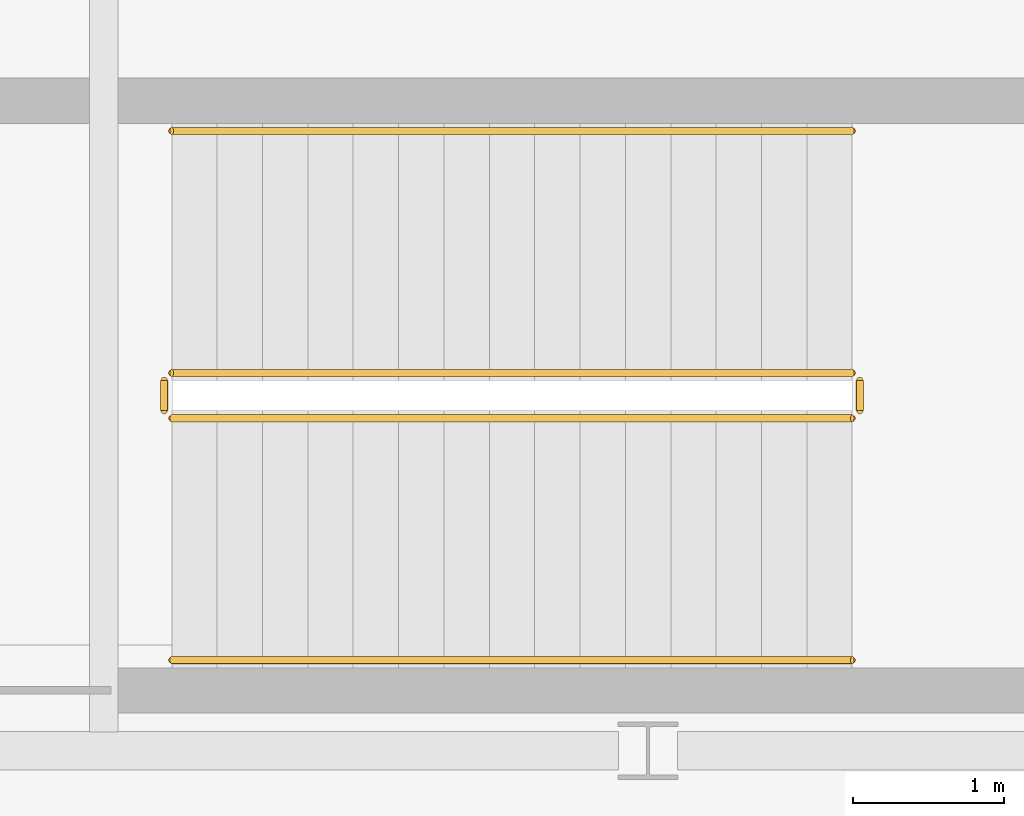
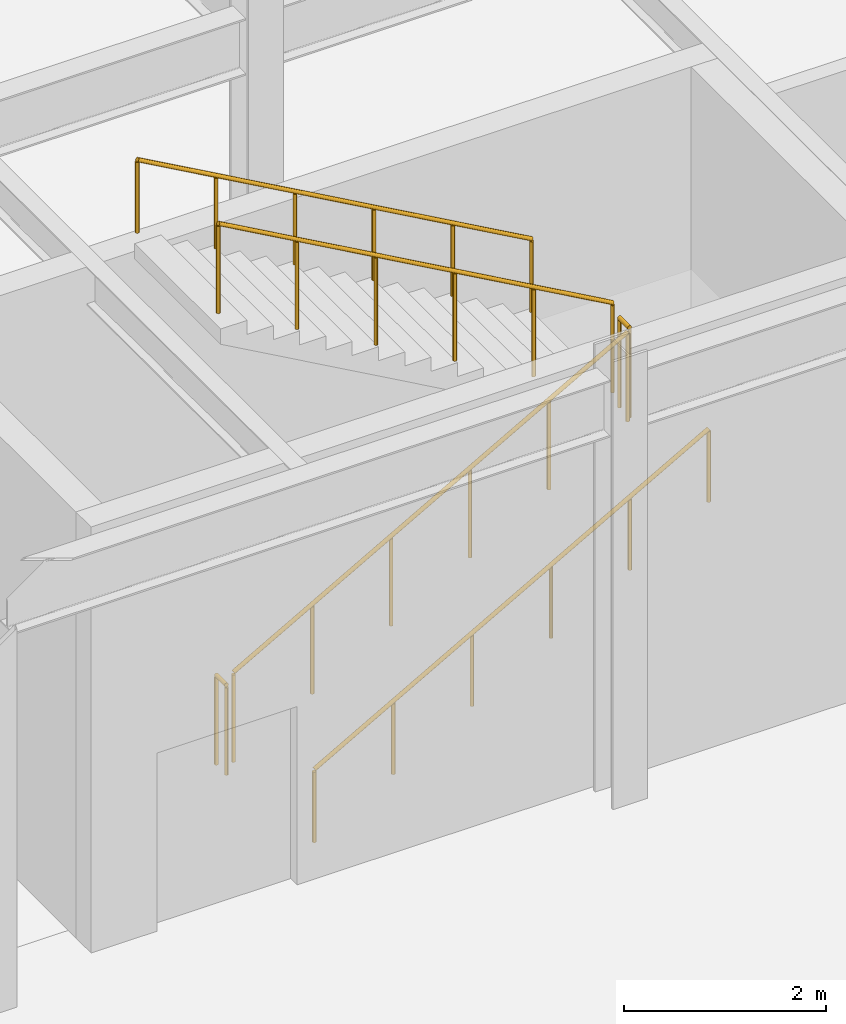
# One storey, part 98 of 104: 6 railings.
"""IFC4 building model written with IfcOpenShell, lengths in metres."""

from ifc_helpers import new_model, si_unit, direction, frame, origin, origin_2d, place, context, subcontext, project, spatial, circle, extrude, material, layer, layer_set, type_object, element, save


model = new_model("IFC4")

# Units and contexts
model_context = context("Model", 3, precision=1e-05, world=origin(), true_north=direction((0.0, 1.0)))
body_context = subcontext(model_context, "Body", "Model", "MODEL_VIEW")
ifc_project = project(units=[si_unit("LENGTHUNIT", "METRE"), si_unit("AREAUNIT", "SQUARE_METRE"), si_unit("VOLUMEUNIT", "CUBIC_METRE"), si_unit("PLANEANGLEUNIT", "RADIAN"), si_unit("MASSUNIT", "GRAM", prefix="KILO")], contexts=[model_context])

# Site, building, storey
site_placement = place(None, origin())
site = spatial("IfcSite", under=ifc_project, at=site_placement, CompositionType="ELEMENT")
building_placement = place(site_placement, origin())
building = spatial("IfcBuilding", under=site, at=building_placement, Name="Vaelcorin Mobility Hub", CompositionType="ELEMENT")
storey_placement = place(building_placement, origin())
storey = spatial("IfcBuildingStorey", under=building, at=storey_placement, Name="L00", CompositionType="ELEMENT", Elevation=0.0)

# Railings
ifc_material = material(Name="Brushed stainless steel 316L", Category="steel")
ifc_layer_1 = layer(ifc_material, 0.048095703125)
ifc_layer_set_1 = layer_set([ifc_layer_1], Name="Brushed stainless steel 316L")
railing_type_1 = type_object("IfcRailingType", Name="RL-STAIR-GRD", PredefinedType="GUARDRAIL", material=ifc_layer_set_1)
railing_1_placement = place(storey_placement, frame((179.25, 8.199951171875, 0.168701171875)))
element("IfcRailing", 1, at=railing_1_placement, inside=storey, type_object=railing_type_1, Name="L00 ST5 stair guard 1", PredefinedType="GUARDRAIL", context=body_context, shape_type="SweptSolid", body=[
    extrude(circle(Radius=0.02392578125, at=origin_2d()), frame((0.0, 0.0, 1.076171875), z_axis=(0.871575537125, 0.0, 0.490261239633), x_axis=(0.0, 1.0, 0.0)), (0.0, 0.0, 1.0), 5.1630859375),
    extrude(circle(Radius=0.02099609375, at=origin_2d()), origin(), (0.0, 0.0, 1.0), 1.052001953125),
    extrude(circle(Radius=0.02099609375, at=origin_2d()), frame((0.89990234375, 0.0, 0.50634765625)), (0.0, 0.0, 1.0), 1.052001953125),
    extrude(circle(Radius=0.02099609375, at=origin_2d()), frame((1.800048828125, 0.0, 1.012451171875)), (0.0, 0.0, 1.0), 1.052001953125),
    extrude(circle(Radius=0.02099609375, at=origin_2d()), frame((2.699951171875, 0.0, 1.518798828125)), (0.0, 0.0, 1.0), 1.052001953125),
    extrude(circle(Radius=0.02099609375, at=origin_2d()), frame((3.60009765625, 0.0, 2.02490234375)), (0.0, 0.0, 1.0), 1.052001953125),
    extrude(circle(Radius=0.02099609375, at=origin_2d()), frame((4.5, 0.0, 2.53125)), (0.0, 0.0, 1.0), 1.052001953125),
])
railing_2_placement = place(storey_placement, frame((183.800048828125, 8.25, 2.699951171875)))
element("IfcRailing", 2, at=railing_2_placement, inside=storey, type_object=railing_type_1, Name="L00 ST5 stair guard 2", PredefinedType="GUARDRAIL", context=body_context, shape_type="SweptSolid", body=[
    extrude(circle(Radius=0.02392578125, at=origin_2d()), frame((0.0, 0.0, 1.076171875), z_axis=(0.0, 1.0, 0.0), x_axis=(-1.0, 0.0, 0.0)), (0.0, 0.0, 1.0), 0.199951171875),
    extrude(circle(Radius=0.02099609375, at=origin_2d()), origin(), (0.0, 0.0, 1.0), 1.052001953125),
    extrude(circle(Radius=0.02099609375, at=origin_2d()), frame((0.0, 0.199951171875, 0.0)), (0.0, 0.0, 1.0), 1.052001953125),
])
railing_3_placement = place(storey_placement, frame((183.75, 8.5, 2.86865234375)))
element("IfcRailing", 3, at=railing_3_placement, inside=storey, type_object=railing_type_1, Name="L00 ST5 stair guard 3", PredefinedType="GUARDRAIL", context=body_context, shape_type="SweptSolid", body=[
    extrude(circle(Radius=0.02392578125, at=origin_2d()), frame((0.0, 0.0, 1.076171875), z_axis=(-0.871575537125, 0.0, 0.490261239633), x_axis=(0.0, -1.0, 0.0)), (0.0, 0.0, 1.0), 5.1630859375),
    extrude(circle(Radius=0.02099609375, at=origin_2d()), origin(), (0.0, 0.0, 1.0), 1.052001953125),
    extrude(circle(Radius=0.02099609375, at=origin_2d()), frame((-0.89990234375, 0.0, 0.50634765625)), (0.0, 0.0, 1.0), 1.052001953125),
    extrude(circle(Radius=0.02099609375, at=origin_2d()), frame((-1.800048828125, 0.0, 1.012451171875)), (0.0, 0.0, 1.0), 1.052001953125),
    extrude(circle(Radius=0.02099609375, at=origin_2d()), frame((-2.699951171875, 0.0, 1.518798828125)), (0.0, 0.0, 1.0), 1.052001953125),
    extrude(circle(Radius=0.02099609375, at=origin_2d()), frame((-3.60009765625, 0.0, 2.02490234375)), (0.0, 0.0, 1.0), 1.052001953125),
    extrude(circle(Radius=0.02099609375, at=origin_2d()), frame((-4.5, 0.0, 2.53125)), (0.0, 0.0, 1.0), 1.052001953125),
])
railing_4_placement = place(storey_placement, frame((179.199951171875, 8.25, 0.0)))
element("IfcRailing", 4, at=railing_4_placement, inside=storey, type_object=railing_type_1, Name="L00 ST5 stair guard 4", PredefinedType="GUARDRAIL", context=body_context, shape_type="SweptSolid", body=[
    extrude(circle(Radius=0.02392578125, at=origin_2d()), frame((0.0, 0.0, 1.076171875), z_axis=(0.0, 1.0, 0.0), x_axis=(-1.0, 0.0, 0.0)), (0.0, 0.0, 1.0), 0.199951171875),
    extrude(circle(Radius=0.02099609375, at=origin_2d()), origin(), (0.0, 0.0, 1.0), 1.052001953125),
    extrude(circle(Radius=0.02099609375, at=origin_2d()), frame((0.0, 0.199951171875, 0.0)), (0.0, 0.0, 1.0), 1.052001953125),
])
ifc_layer_2 = layer(ifc_material, 0.048095703125)
ifc_layer_set_2 = layer_set([ifc_layer_2], Name="Brushed stainless steel 316L")
railing_type_2 = type_object("IfcRailingType", Name="RL-STAIR-HR", PredefinedType="HANDRAIL", material=ifc_layer_set_2)
railing_5_placement = place(storey_placement, frame((179.25, 6.60009765625, 0.168701171875)))
element("IfcRailing", 5, at=railing_5_placement, inside=storey, type_object=railing_type_2, Name="L00 ST5 stair handrail 1", PredefinedType="HANDRAIL", context=body_context, shape_type="SweptSolid", body=[
    extrude(circle(Radius=0.02392578125, at=origin_2d()), frame((0.0, 0.0, 0.8759765625), z_axis=(0.871575537125, 0.0, 0.490261239633), x_axis=(0.0, 1.0, 0.0)), (0.0, 0.0, 1.0), 5.1630859375),
    extrude(circle(Radius=0.02099609375, at=origin_2d()), origin(), (0.0, 0.0, 1.0), 0.851806640625),
    extrude(circle(Radius=0.02099609375, at=origin_2d()), frame((0.89990234375, 0.0, 0.50634765625)), (0.0, 0.0, 1.0), 0.851806640625),
    extrude(circle(Radius=0.02099609375, at=origin_2d()), frame((1.800048828125, 0.0, 1.012451171875)), (0.0, 0.0, 1.0), 0.851806640625),
    extrude(circle(Radius=0.02099609375, at=origin_2d()), frame((2.699951171875, 0.0, 1.518798828125)), (0.0, 0.0, 1.0), 0.851806640625),
    extrude(circle(Radius=0.02099609375, at=origin_2d()), frame((3.60009765625, 0.0, 2.02490234375)), (0.0, 0.0, 1.0), 0.851806640625),
    extrude(circle(Radius=0.02099609375, at=origin_2d()), frame((4.5, 0.0, 2.53125)), (0.0, 0.0, 1.0), 0.851806640625),
])
railing_6_placement = place(storey_placement, frame((183.75, 10.10009765625, 2.86865234375)))
element("IfcRailing", 6, at=railing_6_placement, inside=storey, type_object=railing_type_2, Name="L00 ST5 stair handrail 2", PredefinedType="HANDRAIL", context=body_context, shape_type="SweptSolid", body=[
    extrude(circle(Radius=0.02392578125, at=origin_2d()), frame((0.0, 0.0, 0.8759765625), z_axis=(-0.871575537125, 0.0, 0.490261239633), x_axis=(0.0, -1.0, 0.0)), (0.0, 0.0, 1.0), 5.1630859375),
    extrude(circle(Radius=0.02099609375, at=origin_2d()), origin(), (0.0, 0.0, 1.0), 0.851806640625),
    extrude(circle(Radius=0.02099609375, at=origin_2d()), frame((-0.89990234375, 0.0, 0.50634765625)), (0.0, 0.0, 1.0), 0.851806640625),
    extrude(circle(Radius=0.02099609375, at=origin_2d()), frame((-1.800048828125, 0.0, 1.012451171875)), (0.0, 0.0, 1.0), 0.851806640625),
    extrude(circle(Radius=0.02099609375, at=origin_2d()), frame((-2.699951171875, 0.0, 1.518798828125)), (0.0, 0.0, 1.0), 0.851806640625),
    extrude(circle(Radius=0.02099609375, at=origin_2d()), frame((-3.60009765625, 0.0, 2.02490234375)), (0.0, 0.0, 1.0), 0.851806640625),
    extrude(circle(Radius=0.02099609375, at=origin_2d()), frame((-4.5, 0.0, 2.53125)), (0.0, 0.0, 1.0), 0.851806640625),
])

save(model, "model.ifc")
